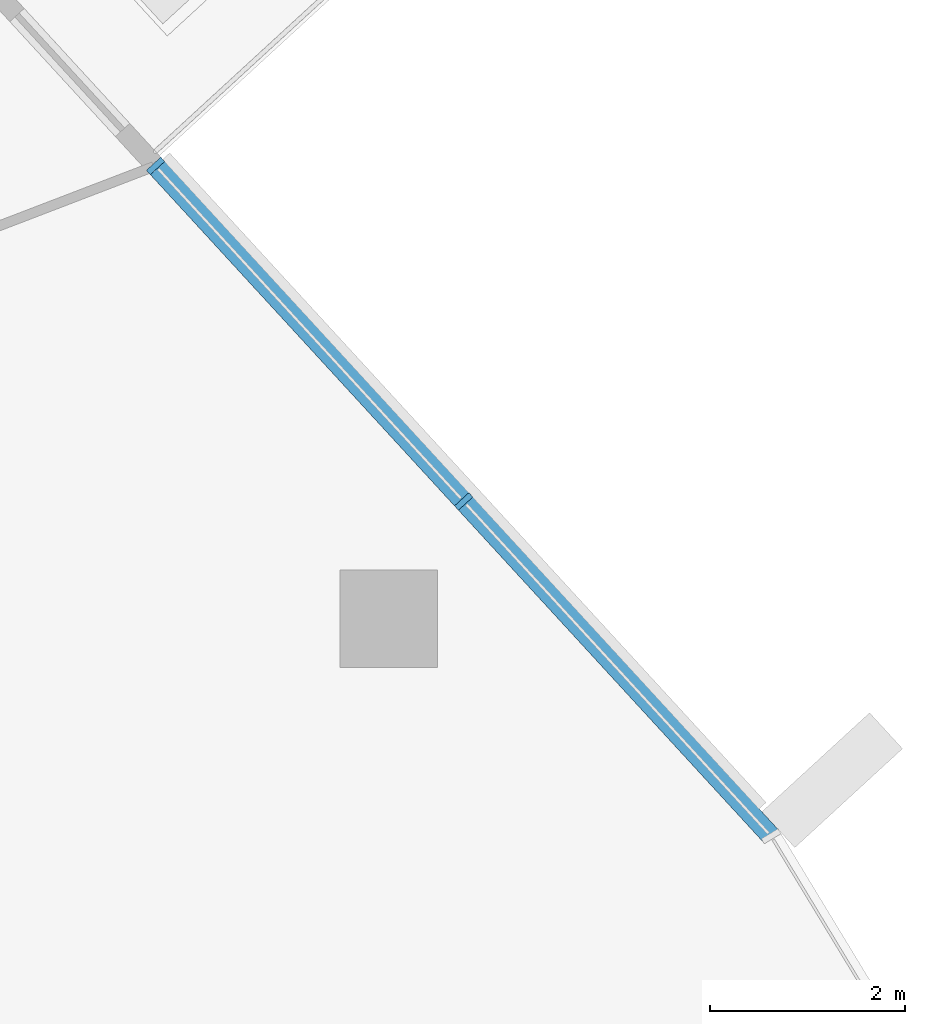
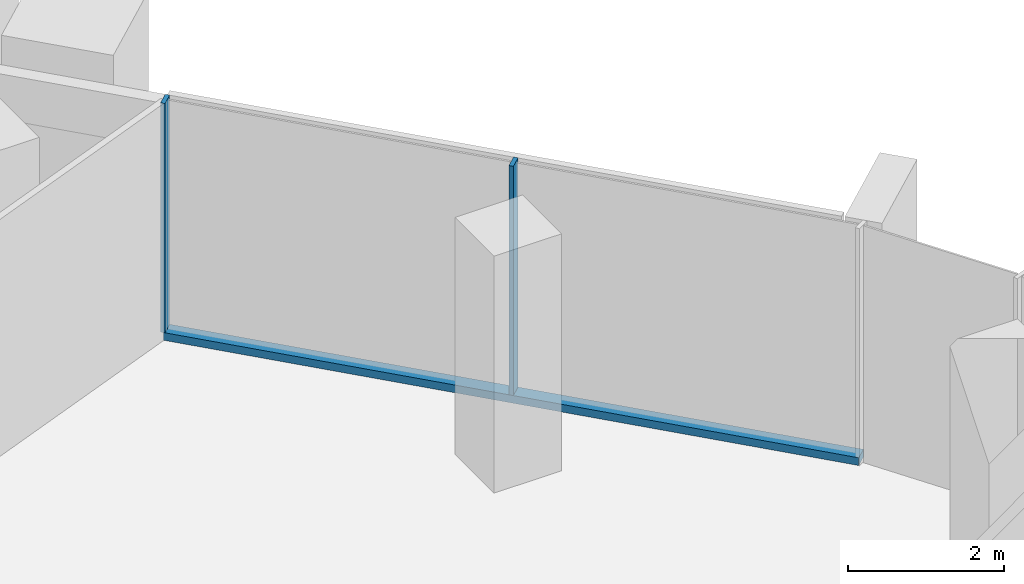
# One storey, part 8 of 24: 3 members, 1 element without a shape of its own.
"""IFC4 building model written with IfcOpenShell, lengths in metres."""

from ifc_helpers import new_model, si_unit, direction, frame, origin, origin_2d, place, context, subcontext, project, spatial, rectangle, extrude, material, layer, layer_set, material_profile, profile_set, type_object, element, aggregate, save


model = new_model("IFC4")

# Units and contexts
model_context = context("Model", 3, precision=1e-05, world=origin(), true_north=direction((0.0, 1.0)))
body_context = subcontext(model_context, "Body", "Model", "MODEL_VIEW")
ifc_project = project(units=[si_unit("LENGTHUNIT", "METRE"), si_unit("AREAUNIT", "SQUARE_METRE"), si_unit("VOLUMEUNIT", "CUBIC_METRE"), si_unit("PLANEANGLEUNIT", "RADIAN"), si_unit("MASSUNIT", "GRAM", prefix="KILO")], contexts=[model_context])

# Site, building, storey
site_placement = place(None, origin())
site = spatial("IfcSite", under=ifc_project, at=site_placement, CompositionType="ELEMENT")
building_placement = place(site_placement, origin())
building = spatial("IfcBuilding", under=site, at=building_placement, Name="Dongbaek Canopy Tower", CompositionType="ELEMENT")
storey_placement = place(building_placement, frame((0.0, 0.0, 348.800048828125)))
storey = spatial("IfcBuildingStorey", under=building, at=storey_placement, Name="L75", CompositionType="ELEMENT", Elevation=348.800048828125)

# Curtain wall, members
ifc_material_1 = material(Name="Aluminium 6063-T6 pale anodised", Category="aluminium")
ifc_layer = layer(ifc_material_1, 0.199951171875)
ifc_layer_set = layer_set([ifc_layer], Name="CW-1 unitised tower curtain wall")
curtain_wall_type = type_object("IfcCurtainWallType", Name="CW-1 unitised tower curtain wall", PredefinedType="NOTDEFINED", material=ifc_layer_set)
curtain_wall_placement = place(storey_placement, origin())
curtain_wall = element("IfcCurtainWall", 1, at=curtain_wall_placement, inside=storey, type_object=curtain_wall_type, Name="CW-1 curtain wall F0.1", PredefinedType="NOTDEFINED")
ifc_material_2 = material(Name="Aluminium 6063-T6 pale anodised", Category="aluminium")
ifc_material_profile_1 = material_profile(ifc_material_2, rectangle(XDim=0.199951171875, YDim=0.06005859375, at=origin_2d()), Name="CW-1 mullion 60 x 200")
ifc_profile_set_1 = profile_set([ifc_material_profile_1], Name="Aluminium 6063-T6 pale anodised")
member_type_1 = type_object("IfcMemberType", Name="CW-1 mullion 60 x 200", PredefinedType="MULLION", material=ifc_profile_set_1)
member_1_placement = place(storey_placement, frame((27.47216796875, 13.457763671875, 0.119873046875), z_axis=(0.0, 0.0, 1.0), x_axis=(0.736566571941, 0.676365053133, 0.0)))
member_1 = element("IfcMember", 2, at=member_1_placement, type_object=member_type_1, Name="CW-1 mullion F0.1.2", PredefinedType="MULLION", context=body_context, shape_type="SweptSolid", body=[
    extrude(rectangle(XDim=0.199951171875, YDim=0.06005859375, at=origin_2d()), origin(), (0.0, 0.0, 1.0), 3.580078125),
])
member_2_placement = place(storey_placement, frame((24.312744140625, 16.898193359375, 0.119873046875), z_axis=(0.0, 0.0, 1.0), x_axis=(0.736566571941, 0.676365053133, 0.0)))
member_2 = element("IfcMember", 3, at=member_2_placement, type_object=member_type_1, Name="CW-1 mullion F0.1.3", PredefinedType="MULLION", context=body_context, shape_type="SweptSolid", body=[
    extrude(rectangle(XDim=0.199951171875, YDim=0.06005859375, at=origin_2d()), origin(), (0.0, 0.0, 1.0), 3.580078125),
])
ifc_material_3 = material(Name="Aluminium 6063-T6 pale anodised", Category="aluminium")
ifc_material_profile_2 = material_profile(ifc_material_3, rectangle(XDim=0.199951171875, YDim=0.1201171875, at=origin_2d()), Name="CW-1 transom 120 x 200")
ifc_profile_set_2 = profile_set([ifc_material_profile_2], Name="Aluminium 6063-T6 pale anodised")
member_type_2 = type_object("IfcMemberType", Name="CW-1 transom 120 x 200", PredefinedType="USERDEFINED", material=ifc_profile_set_2)
member_3_placement = place(storey_placement, frame((30.62451171875, 10.024658203125, 0.06005859375), z_axis=(-0.676366476775, 0.736565264654, 0.0), x_axis=(-0.736565264654, -0.676366476775, 0.0)))
member_3 = element("IfcMember", 4, at=member_3_placement, type_object=member_type_2, Name="CW-1 transom F0.1.1", ObjectType="TRANSOM", PredefinedType="USERDEFINED", context=body_context, shape_type="SweptSolid", body=[
    extrude(rectangle(XDim=0.199951171875, YDim=0.1201171875, at=origin_2d()), origin(), (0.0, 0.0, 1.0), 9.331787109375),
])
aggregate(curtain_wall, [member_1, member_2, member_3])

save(model, "model.ifc")
